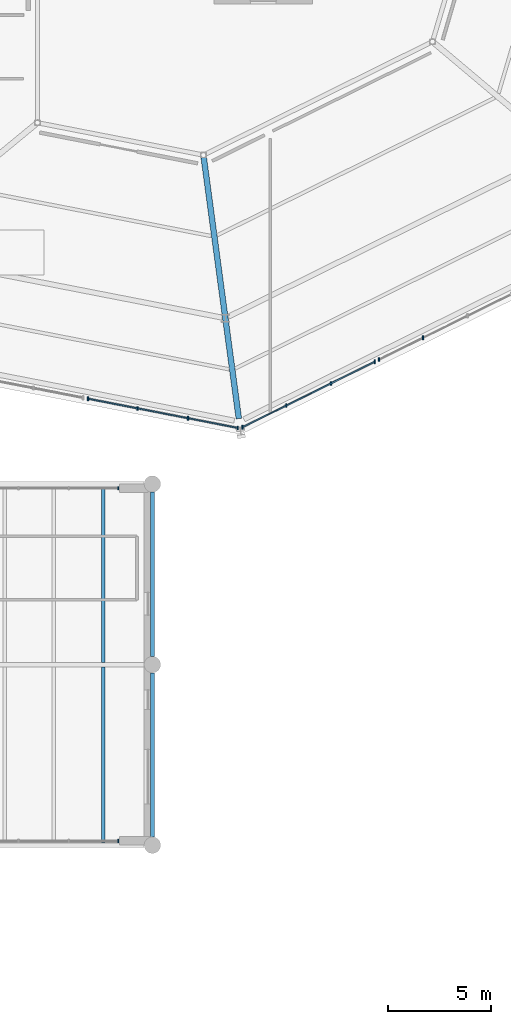
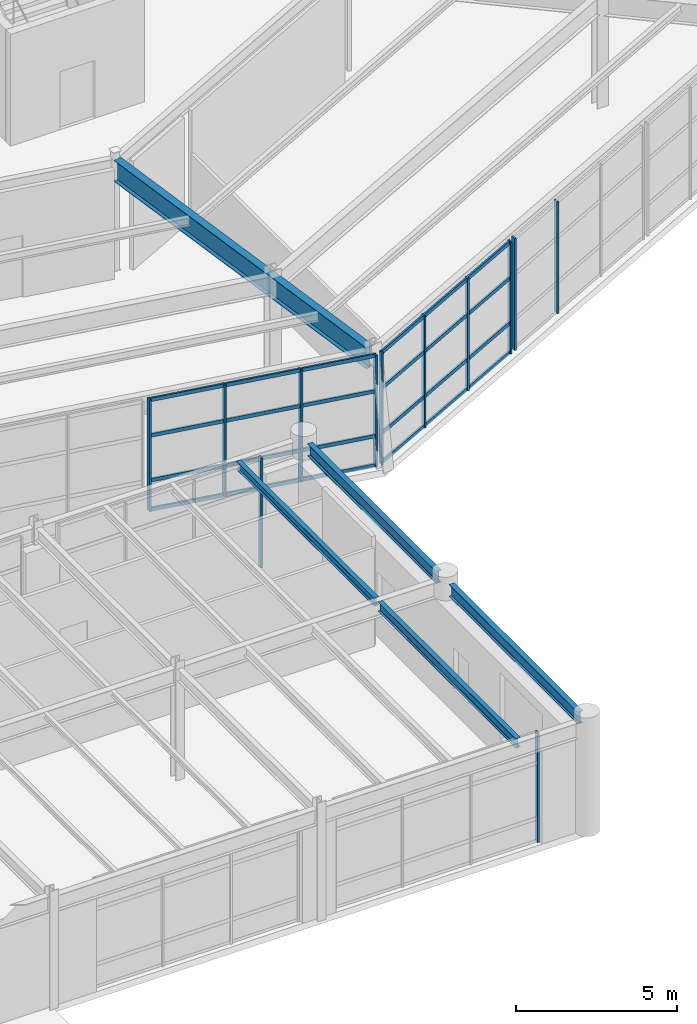
# One storey, part 43 of 88: 20 members, 5 beams, 5 elements without a shape of their own.
"""IFC4 building model written with IfcOpenShell, lengths in metres."""

from ifc_helpers import new_model, si_unit, direction, frame, origin, origin_2d, place, context, subcontext, project, spatial, rectangle, i_section, extrude, material, material_profile, profile_set, type_object, element, aggregate, save


model = new_model("IFC4")

# Units and contexts
model_context = context("Model", 3, precision=1e-05, world=origin(), true_north=direction((0.0, 1.0)))
body_context = subcontext(model_context, "Body", "Model", "MODEL_VIEW")
ifc_project = project(units=[si_unit("LENGTHUNIT", "METRE"), si_unit("AREAUNIT", "SQUARE_METRE"), si_unit("VOLUMEUNIT", "CUBIC_METRE"), si_unit("PLANEANGLEUNIT", "RADIAN"), si_unit("MASSUNIT", "GRAM", prefix="KILO")], contexts=[model_context])

# Site, building, storey
site_placement = place(None, origin())
site = spatial("IfcSite", under=ifc_project, at=site_placement, CompositionType="ELEMENT")
building_placement = place(site_placement, origin())
building = spatial("IfcBuilding", under=site, at=building_placement, Name="Sarnbrook Museum", CompositionType="ELEMENT")
storey_placement = place(building_placement, frame((0.0, 0.0, 10.10009765625)))
storey = spatial("IfcBuildingStorey", under=building, at=storey_placement, Name="L02", CompositionType="ELEMENT", Elevation=10.10009765625)

# Beams
ifc_material_1 = material(Name="Structural Steel Grade 300PLUS (AS/NZS 3679.1, fy = 280 MPa for 17 < t <= 40 mm, 300 MPa for t <= 17 mm)", Category="steel")
ifc_material_profile_1 = material_profile(ifc_material_1, i_section(OverallWidth=0.18994140625, OverallDepth=0.45703125, WebThickness=0.009033203125, FlangeThickness=0.014404296875, FilletRadius=0.011474609375, at=origin_2d()), Name="460UB74.6")
ifc_profile_set_1 = profile_set([ifc_material_profile_1], Name="Structural Steel Grade 300PLUS (AS/NZS 3679.1, fy = 280 MPa for 17 < t <= 40 mm, 300 MPa for t <= 17 mm)")
beam_type_1 = type_object("IfcBeamType", Name="BM-UB460", PredefinedType="BEAM", material=ifc_profile_set_1)
for number, where, z_axis, x_axis, name in (
    (1, (138.39990234375, 39.60009765625, 4.00146484375), (0.0, 1.0, 0.0), (-1.0, 0.0, 0.0), "Girder 15:E-F L02"),
    (2, (138.39990234375, 48.39990234375, 4.00146484375), (0.0, 1.0, 0.0), (-1.0, 0.0, 0.0), "Girder 15:F-G L02"),
):
    element("IfcBeam", number, at=place(storey_placement, frame(where, z_axis=z_axis, x_axis=x_axis)), inside=storey, type_object=beam_type_1, Name=name, PredefinedType="BEAM", context=body_context, shape_type="SweptSolid", body=[
        extrude(i_section(OverallWidth=0.18994140625, OverallDepth=0.45703125, WebThickness=0.009033203125, FlangeThickness=0.014404296875, FilletRadius=0.011474609375, at=origin_2d()), origin(), (0.0, 0.0, 1.0), 8.0),
    ])
ifc_material_2 = material(Name="Structural Steel Grade 350L0 (AS/NZS 3678, fy = 340 MPa for 20 < t <= 40 mm)", Category="steel")
ifc_material_profile_2 = material_profile(ifc_material_2, i_section(OverallWidth=0.27490234375, OverallDepth=0.800048828125, WebThickness=0.010009765625, FlangeThickness=0.01611328125, at=origin_2d()), Name="800WB146")
ifc_profile_set_2 = profile_set([ifc_material_profile_2], Name="Structural Steel Grade 350L0 (AS/NZS 3678, fy = 340 MPa for 20 < t <= 40 mm)")
beam_type_2 = type_object("IfcBeamType", Name="CR-CANT", PredefinedType="BEAM", material=ifc_profile_set_2)
beam_1_placement = place(storey_placement, frame((140.9033203125, 72.7099609375, 3.83984375), z_axis=(0.133215136976, -0.99108714414, 0.0), x_axis=(0.99108714414, 0.133215136976, 0.0)))
element("IfcBeam", 3, at=beam_1_placement, inside=storey, type_object=beam_type_2, Name="Crystal Hall Radial Cantilever Girder 2 L02", PredefinedType="BEAM", context=body_context, shape_type="SweptSolid", body=[
    extrude(i_section(OverallWidth=0.27490234375, OverallDepth=0.800048828125, WebThickness=0.010009765625, FlangeThickness=0.01611328125, at=origin_2d()), origin(), (0.0, 0.0, 1.0), 12.836181640625),
])

# Curtain wall, member
ifc_material_3 = material(Name="Thermally Broken Anodised Aluminium 6063-T6", Category="aluminium")
curtain_wall_type_1 = type_object("IfcCurtainWallType", Name="CurtainWall_GalleryRibbon", PredefinedType="NOTDEFINED", material=ifc_material_3)
curtain_wall_1_placement = place(storey_placement, origin())
curtain_wall_1 = element("IfcCurtainWall", 4, at=curtain_wall_1_placement, inside=storey, type_object=curtain_wall_type_1, Name="Gallery Ribbon Curtain Wall L02-16.2", PredefinedType="NOTDEFINED")
ifc_material_profile_3 = material_profile(ifc_material_3, rectangle(XDim=0.06005859375, YDim=0.159912109375, at=origin_2d()), Name="ALU MULLION 60x160")
ifc_profile_set_3 = profile_set([ifc_material_profile_3], Name="Thermally Broken Anodised Aluminium 6063-T6")
member_type_1 = type_object("IfcMemberType", Name="CW_Mullion_150x65", PredefinedType="MULLION", material=ifc_profile_set_3)
member_1_placement = place(storey_placement, frame((136.739990234375, 39.409912109375, 0.0), z_axis=(0.0, 0.0, 1.0), x_axis=(1.0, 0.0, 0.0)))
member_1 = element("IfcMember", 5, at=member_1_placement, type_object=member_type_1, Name="Gallery Ribbon Curtain Wall L02-16.2 Mullion 4", PredefinedType="MULLION", context=body_context, shape_type="SweptSolid", body=[
    extrude(rectangle(XDim=0.06005859375, YDim=0.159912109375, at=origin_2d()), origin(), (0.0, 0.0, 1.0), 4.159912109375),
])
aggregate(curtain_wall_1, [member_1])

curtain_wall_2_placement = place(storey_placement, origin())
curtain_wall_2 = element("IfcCurtainWall", 6, at=curtain_wall_2_placement, inside=storey, type_object=curtain_wall_type_1, Name="Gallery Ribbon Curtain Wall L02-18.1", PredefinedType="NOTDEFINED")
member_2_placement = place(storey_placement, frame((136.739990234375, 56.590087890625, 0.0), z_axis=(0.0, 0.0, 1.0), x_axis=(1.0, 0.0, 0.0)))
member_2 = element("IfcMember", 7, at=member_2_placement, type_object=member_type_1, Name="Gallery Ribbon Curtain Wall L02-18.1 Mullion 1", PredefinedType="MULLION", context=body_context, shape_type="SweptSolid", body=[
    extrude(rectangle(XDim=0.06005859375, YDim=0.159912109375, at=origin_2d()), origin(), (0.0, 0.0, 1.0), 4.159912109375),
])
aggregate(curtain_wall_2, [member_2])

# Curtain wall, members
curtain_wall_type_2 = type_object("IfcCurtainWallType", Name="CurtainWall_CrystalFacet", PredefinedType="NOTDEFINED", material=ifc_material_3)
curtain_wall_3_placement = place(storey_placement, origin())
curtain_wall_3 = element("IfcCurtainWall", 8, at=curtain_wall_3_placement, inside=storey, type_object=curtain_wall_type_2, Name="Crystal Hall Facet Curtain Wall L02-F1.3", PredefinedType="NOTDEFINED")
ifc_material_profile_4 = material_profile(ifc_material_3, rectangle(XDim=0.06494140625, YDim=0.179931640625, at=origin_2d()), Name="ALU MULLION 65x180")
ifc_profile_set_4 = profile_set([ifc_material_profile_4], Name="Thermally Broken Anodised Aluminium 6063-T6")
member_type_2 = type_object("IfcMemberType", Name="CW_Mullion_180x75", PredefinedType="MULLION", material=ifc_profile_set_4)
member_3_placement = place(storey_placement, frame((135.260009765625, 60.95751953125, 0.0), z_axis=(0.0, 0.0, 1.0), x_axis=(1.0, 0.0, 0.0)))
member_3 = element("IfcMember", 9, at=member_3_placement, type_object=member_type_2, Name="Crystal Hall Facet Curtain Wall L02-F1.3 Mullion 1", PredefinedType="MULLION", context=body_context, shape_type="SweptSolid", body=[
    extrude(rectangle(XDim=0.06494140625, YDim=0.179931640625, at=origin_2d()), origin(), (0.0, 0.0, 1.0), 4.239990234375),
])
member_4_placement = place(storey_placement, frame((137.679931640625, 60.48583984375, 0.0), z_axis=(0.0, 0.0, 1.0), x_axis=(1.0, 0.0, 0.0)))
member_4 = element("IfcMember", 10, at=member_4_placement, type_object=member_type_2, Name="Crystal Hall Facet Curtain Wall L02-F1.3 Mullion 2", PredefinedType="MULLION", context=body_context, shape_type="SweptSolid", body=[
    extrude(rectangle(XDim=0.06494140625, YDim=0.179931640625, at=origin_2d()), origin(), (0.0, 0.0, 1.0), 4.239990234375),
])
member_5_placement = place(storey_placement, frame((140.139404296875, 60.006591796875, 0.0), z_axis=(0.0, 0.0, 1.0), x_axis=(1.0, 0.0, 0.0)))
member_5 = element("IfcMember", 11, at=member_5_placement, type_object=member_type_2, Name="Crystal Hall Facet Curtain Wall L02-F1.3 Mullion 3", PredefinedType="MULLION", context=body_context, shape_type="SweptSolid", body=[
    extrude(rectangle(XDim=0.06494140625, YDim=0.179931640625, at=origin_2d()), origin(), (0.0, 0.0, 1.0), 4.239990234375),
])
member_6_placement = place(storey_placement, frame((142.5595703125, 59.534912109375, 0.0), z_axis=(0.0, 0.0, 1.0), x_axis=(1.0, 0.0, 0.0)))
member_6 = element("IfcMember", 12, at=member_6_placement, type_object=member_type_2, Name="Crystal Hall Facet Curtain Wall L02-F1.3 Mullion 4", PredefinedType="MULLION", context=body_context, shape_type="SweptSolid", body=[
    extrude(rectangle(XDim=0.06494140625, YDim=0.179931640625, at=origin_2d()), origin(), (0.0, 0.0, 1.0), 4.239990234375),
])

curtain_wall_4_placement = place(storey_placement, origin())
curtain_wall_4 = element("IfcCurtainWall", 13, at=curtain_wall_4_placement, inside=storey, type_object=curtain_wall_type_2, Name="Crystal Hall Facet Curtain Wall L02-F2.1", PredefinedType="NOTDEFINED")
member_7_placement = place(storey_placement, frame((142.784912109375, 59.56494140625, 0.0), z_axis=(0.0, 0.0, 1.0), x_axis=(1.0, 0.0, 0.0)))
member_7 = element("IfcMember", 14, at=member_7_placement, type_object=member_type_2, Name="Crystal Hall Facet Curtain Wall L02-F2.1 Mullion 1", PredefinedType="MULLION", context=body_context, shape_type="SweptSolid", body=[
    extrude(rectangle(XDim=0.06494140625, YDim=0.179931640625, at=origin_2d()), origin(), (0.0, 0.0, 1.0), 4.239990234375),
])
member_8_placement = place(storey_placement, frame((144.923095703125, 60.623779296875, 0.0), z_axis=(0.0, 0.0, 1.0), x_axis=(1.0, 0.0, 0.0)))
member_8 = element("IfcMember", 15, at=member_8_placement, type_object=member_type_2, Name="Crystal Hall Facet Curtain Wall L02-F2.1 Mullion 2", PredefinedType="MULLION", context=body_context, shape_type="SweptSolid", body=[
    extrude(rectangle(XDim=0.06494140625, YDim=0.179931640625, at=origin_2d()), origin(), (0.0, 0.0, 1.0), 4.239990234375),
])
member_9_placement = place(storey_placement, frame((147.096923828125, 61.7001953125, 0.0), z_axis=(0.0, 0.0, 1.0), x_axis=(1.0, 0.0, 0.0)))
member_9 = element("IfcMember", 16, at=member_9_placement, type_object=member_type_2, Name="Crystal Hall Facet Curtain Wall L02-F2.1 Mullion 3", PredefinedType="MULLION", context=body_context, shape_type="SweptSolid", body=[
    extrude(rectangle(XDim=0.06494140625, YDim=0.179931640625, at=origin_2d()), origin(), (0.0, 0.0, 1.0), 4.239990234375),
])
member_10_placement = place(storey_placement, frame((149.235107421875, 62.7587890625, 0.0), z_axis=(0.0, 0.0, 1.0), x_axis=(1.0, 0.0, 0.0)))
member_10 = element("IfcMember", 17, at=member_10_placement, type_object=member_type_2, Name="Crystal Hall Facet Curtain Wall L02-F2.1 Mullion 4", PredefinedType="MULLION", context=body_context, shape_type="SweptSolid", body=[
    extrude(rectangle(XDim=0.06494140625, YDim=0.179931640625, at=origin_2d()), origin(), (0.0, 0.0, 1.0), 4.239990234375),
])

curtain_wall_5_placement = place(storey_placement, origin())
curtain_wall_5 = element("IfcCurtainWall", 18, at=curtain_wall_5_placement, inside=storey, type_object=curtain_wall_type_2, Name="Crystal Hall Facet Curtain Wall L02-F2.2", PredefinedType="NOTDEFINED")
member_11_placement = place(storey_placement, frame((149.449951171875, 62.865234375, 0.0), z_axis=(0.0, 0.0, 1.0), x_axis=(1.0, 0.0, 0.0)))
member_11 = element("IfcMember", 19, at=member_11_placement, type_object=member_type_2, Name="Crystal Hall Facet Curtain Wall L02-F2.2 Mullion 1", PredefinedType="MULLION", context=body_context, shape_type="SweptSolid", body=[
    extrude(rectangle(XDim=0.06494140625, YDim=0.179931640625, at=origin_2d()), origin(), (0.0, 0.0, 1.0), 4.239990234375),
])
member_12_placement = place(storey_placement, frame((151.588134765625, 63.923828125, 0.0), z_axis=(0.0, 0.0, 1.0), x_axis=(1.0, 0.0, 0.0)))
member_12 = element("IfcMember", 20, at=member_12_placement, type_object=member_type_2, Name="Crystal Hall Facet Curtain Wall L02-F2.2 Mullion 2", PredefinedType="MULLION", context=body_context, shape_type="SweptSolid", body=[
    extrude(rectangle(XDim=0.06494140625, YDim=0.179931640625, at=origin_2d()), origin(), (0.0, 0.0, 1.0), 4.239990234375),
])
aggregate(curtain_wall_5, [member_11, member_12])

# Member
ifc_material_profile_5 = material_profile(ifc_material_3, rectangle(XDim=0.06494140625, YDim=0.139892578125, at=origin_2d()), Name="ALU TRANSOM 65x140")
ifc_profile_set_5 = profile_set([ifc_material_profile_5], Name="Thermally Broken Anodised Aluminium 6063-T6")
member_type_3 = type_object("IfcMemberType", Name="CW_Transom_150x65", PredefinedType="USERDEFINED", material=ifc_profile_set_5)
member_13_placement = place(storey_placement, frame((135.269775390625, 60.955810546875, 0.039794921875), z_axis=(0.981523625501, -0.191340985111, 0.0), x_axis=(0.191340985111, 0.981523625501, 0.0)))
member_13 = element("IfcMember", 21, at=member_13_placement, type_object=member_type_3, Name="Crystal Hall Facet Curtain Wall L02-F1.3 Transom 1", ObjectType="TRANSOM", PredefinedType="USERDEFINED", context=body_context, shape_type="SweptSolid", body=[
    extrude(rectangle(XDim=0.06494140625, YDim=0.139892578125, at=origin_2d()), origin(), (0.0, 0.0, 1.0), 7.4169921875),
])

member_14_placement = place(storey_placement, frame((135.269775390625, 60.955810546875, 1.14990234375), z_axis=(0.981523625501, -0.191340985111, 0.0), x_axis=(0.191340985111, 0.981523625501, 0.0)))
member_14 = element("IfcMember", 22, at=member_14_placement, type_object=member_type_3, Name="Crystal Hall Facet Curtain Wall L02-F1.3 Transom 2", ObjectType="TRANSOM", PredefinedType="USERDEFINED", context=body_context, shape_type="SweptSolid", body=[
    extrude(rectangle(XDim=0.06494140625, YDim=0.139892578125, at=origin_2d()), origin(), (0.0, 0.0, 1.0), 7.4169921875),
])

member_15_placement = place(storey_placement, frame((135.269775390625, 60.955810546875, 2.849853515625), z_axis=(0.981523625501, -0.191340985111, 0.0), x_axis=(0.191340985111, 0.981523625501, 0.0)))
member_15 = element("IfcMember", 23, at=member_15_placement, type_object=member_type_3, Name="Crystal Hall Facet Curtain Wall L02-F1.3 Transom 3", ObjectType="TRANSOM", PredefinedType="USERDEFINED", context=body_context, shape_type="SweptSolid", body=[
    extrude(rectangle(XDim=0.06494140625, YDim=0.139892578125, at=origin_2d()), origin(), (0.0, 0.0, 1.0), 7.4169921875),
])

member_16_placement = place(storey_placement, frame((135.269775390625, 60.955810546875, 4.199951171875), z_axis=(0.981523625501, -0.191340985111, 0.0), x_axis=(0.191340985111, 0.981523625501, 0.0)))
member_16 = element("IfcMember", 24, at=member_16_placement, type_object=member_type_3, Name="Crystal Hall Facet Curtain Wall L02-F1.3 Transom 4", ObjectType="TRANSOM", PredefinedType="USERDEFINED", context=body_context, shape_type="SweptSolid", body=[
    extrude(rectangle(XDim=0.06494140625, YDim=0.139892578125, at=origin_2d()), origin(), (0.0, 0.0, 1.0), 7.4169921875),
])

aggregate(curtain_wall_3, [member_3, member_4, member_5, member_6, member_13, member_14, member_15, member_16])

member_17_placement = place(storey_placement, frame((142.7939453125, 59.569580078125, 0.039794921875), z_axis=(0.896161982232, 0.44372705755, 0.0), x_axis=(-0.44372705755, 0.896161982232, 0.0)))
member_17 = element("IfcMember", 25, at=member_17_placement, type_object=member_type_3, Name="Crystal Hall Facet Curtain Wall L02-F2.1 Transom 1", ObjectType="TRANSOM", PredefinedType="USERDEFINED", context=body_context, shape_type="SweptSolid", body=[
    extrude(rectangle(XDim=0.06494140625, YDim=0.139892578125, at=origin_2d()), origin(), (0.0, 0.0, 1.0), 7.177490234375),
])

member_18_placement = place(storey_placement, frame((142.7939453125, 59.569580078125, 1.14990234375), z_axis=(0.896161982232, 0.44372705755, 0.0), x_axis=(-0.44372705755, 0.896161982232, 0.0)))
member_18 = element("IfcMember", 26, at=member_18_placement, type_object=member_type_3, Name="Crystal Hall Facet Curtain Wall L02-F2.1 Transom 2", ObjectType="TRANSOM", PredefinedType="USERDEFINED", context=body_context, shape_type="SweptSolid", body=[
    extrude(rectangle(XDim=0.06494140625, YDim=0.139892578125, at=origin_2d()), origin(), (0.0, 0.0, 1.0), 7.177490234375),
])

member_19_placement = place(storey_placement, frame((142.7939453125, 59.569580078125, 2.849853515625), z_axis=(0.896161982232, 0.44372705755, 0.0), x_axis=(-0.44372705755, 0.896161982232, 0.0)))
member_19 = element("IfcMember", 27, at=member_19_placement, type_object=member_type_3, Name="Crystal Hall Facet Curtain Wall L02-F2.1 Transom 3", ObjectType="TRANSOM", PredefinedType="USERDEFINED", context=body_context, shape_type="SweptSolid", body=[
    extrude(rectangle(XDim=0.06494140625, YDim=0.139892578125, at=origin_2d()), origin(), (0.0, 0.0, 1.0), 7.177490234375),
])

member_20_placement = place(storey_placement, frame((142.7939453125, 59.569580078125, 4.199951171875), z_axis=(0.896161982232, 0.44372705755, 0.0), x_axis=(-0.44372705755, 0.896161982232, 0.0)))
member_20 = element("IfcMember", 28, at=member_20_placement, type_object=member_type_3, Name="Crystal Hall Facet Curtain Wall L02-F2.1 Transom 4", ObjectType="TRANSOM", PredefinedType="USERDEFINED", context=body_context, shape_type="SweptSolid", body=[
    extrude(rectangle(XDim=0.06494140625, YDim=0.139892578125, at=origin_2d()), origin(), (0.0, 0.0, 1.0), 7.177490234375),
])

aggregate(curtain_wall_4, [member_7, member_8, member_9, member_10, member_17, member_18, member_19, member_20])

# Beams
ifc_material_profile_6 = material_profile(ifc_material_1, i_section(OverallWidth=0.166015625, OverallDepth=0.306884765625, WebThickness=0.006591796875, FlangeThickness=0.01171875, FilletRadius=0.011474609375, at=origin_2d()), Name="310UB46.2")
ifc_profile_set_6 = profile_set([ifc_material_profile_6], Name="Structural Steel Grade 300PLUS (AS/NZS 3679.1, fy = 280 MPa for 17 < t <= 40 mm, 300 MPa for t <= 17 mm)")
beam_type_3 = type_object("IfcBeamType", Name="JS-UB310H", PredefinedType="JOIST", material=ifc_profile_set_6)
beam_2_placement = place(storey_placement, frame((136.0, 48.114013671875, 4.076416015625), z_axis=(0.0, 1.0, 0.0), x_axis=(-1.0, 0.0, 0.0)))
element("IfcBeam", 29, at=beam_2_placement, inside=storey, type_object=beam_type_3, Name="Composite Floor Joist 14F-3 L02", PredefinedType="JOIST", context=body_context, shape_type="SweptSolid", body=[
    extrude(i_section(OverallWidth=0.166015625, OverallDepth=0.306884765625, WebThickness=0.006591796875, FlangeThickness=0.01171875, FilletRadius=0.011474609375, at=origin_2d()), origin(), (0.0, 0.0, 1.0), 8.572021484375),
])
ifc_material_profile_7 = material_profile(ifc_material_1, i_section(OverallWidth=0.1708984375, OverallDepth=0.35595703125, WebThickness=0.00732421875, FlangeThickness=0.011474609375, FilletRadius=0.011474609375, at=origin_2d()), Name="360UB50.7")
ifc_profile_set_7 = profile_set([ifc_material_profile_7], Name="Structural Steel Grade 300PLUS (AS/NZS 3679.1, fy = 280 MPa for 17 < t <= 40 mm, 300 MPa for t <= 17 mm)")
beam_type_4 = type_object("IfcBeamType", Name="JS-UB360", PredefinedType="JOIST", material=ifc_profile_set_7)
beam_3_placement = place(storey_placement, frame((136.0, 39.31396484375, 4.052001953125), z_axis=(0.0, 1.0, 0.0), x_axis=(-1.0, 0.0, 0.0)))
element("IfcBeam", 30, at=beam_3_placement, inside=storey, type_object=beam_type_4, Name="Composite Floor Joist 14E-3 L02", PredefinedType="JOIST", context=body_context, shape_type="SweptSolid", body=[
    extrude(i_section(OverallWidth=0.1708984375, OverallDepth=0.35595703125, WebThickness=0.00732421875, FlangeThickness=0.011474609375, FilletRadius=0.011474609375, at=origin_2d()), origin(), (0.0, 0.0, 1.0), 8.572021484375),
])

save(model, "model.ifc")
